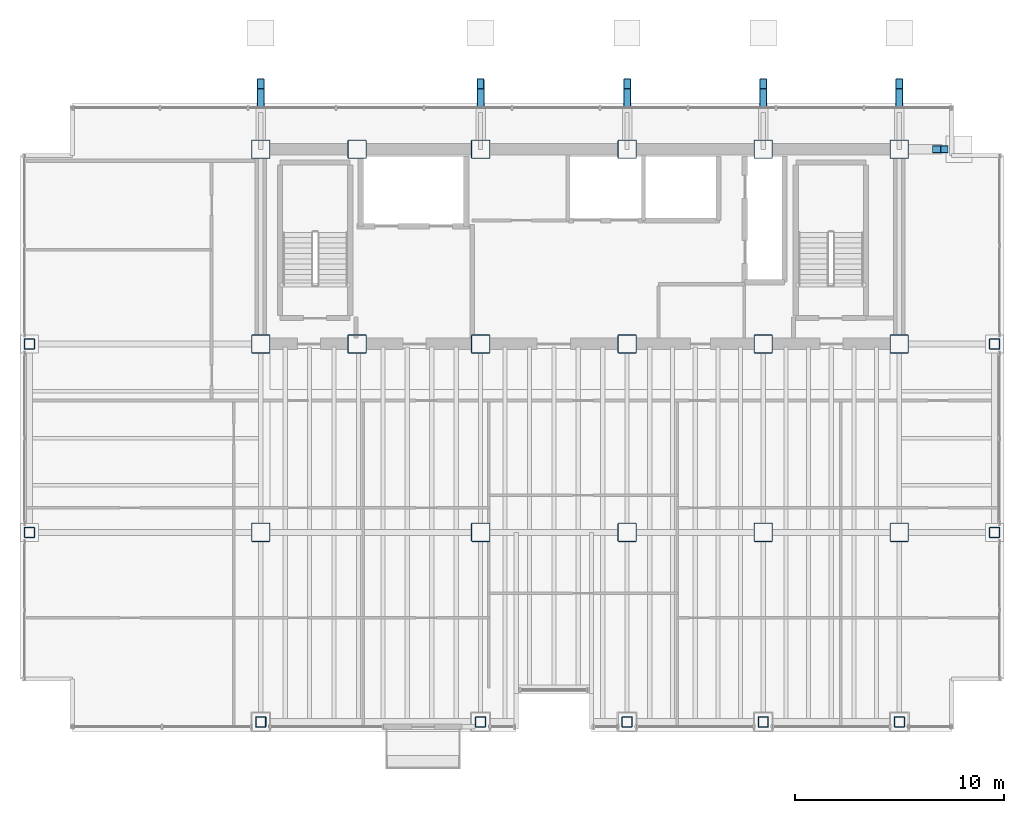
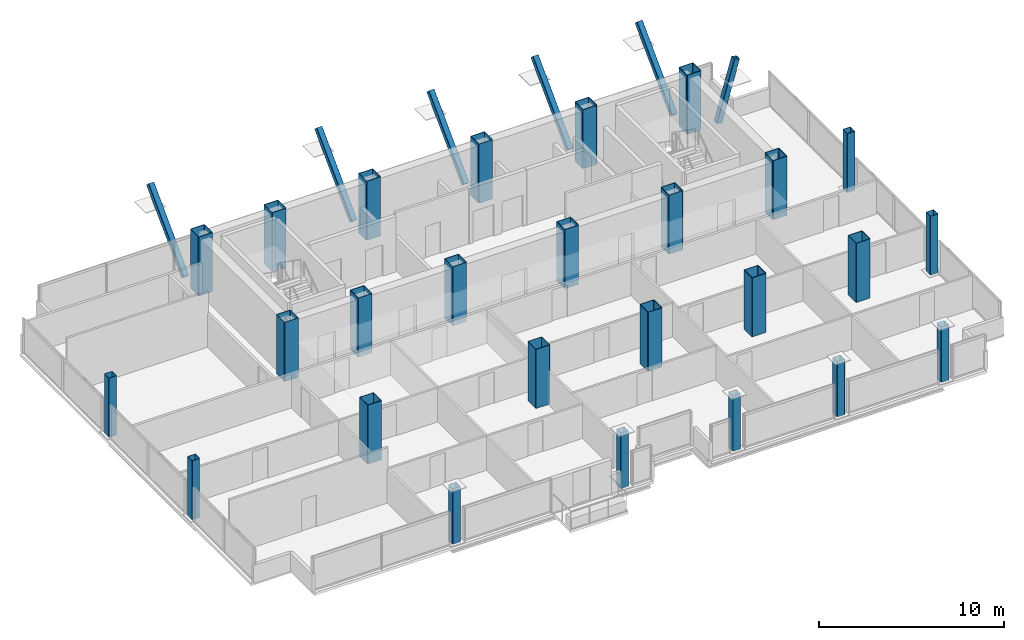
# One storey, part 1 of 22: 32 columns.
"""IFC4 building model written with IfcOpenShell, lengths in metres."""

from ifc_helpers import new_model, si_unit, direction, frame, origin, origin_2d, place, context, subcontext, project, spatial, hollow_rectangle, extrude, material, material_profile, profile_set, type_object, element, save


model = new_model("IFC4")

# Units and contexts
model_context = context("Model", 3, precision=1e-05, world=origin(), true_north=direction((0.0, 1.0)))
body_context = subcontext(model_context, "Body", "Model", "MODEL_VIEW")
ifc_project = project(units=[si_unit("LENGTHUNIT", "METRE"), si_unit("AREAUNIT", "SQUARE_METRE"), si_unit("VOLUMEUNIT", "CUBIC_METRE"), si_unit("PLANEANGLEUNIT", "RADIAN"), si_unit("MASSUNIT", "GRAM", prefix="KILO")], contexts=[model_context])

# Site, building, storey
site_placement = place(None, origin())
site = spatial("IfcSite", under=ifc_project, at=site_placement, CompositionType="ELEMENT")
building_placement = place(site_placement, origin())
building = spatial("IfcBuilding", under=site, at=building_placement, Name="Noeulbin Bourse Tower", CompositionType="ELEMENT")
storey_placement = place(building_placement, frame((0.0, 0.0, 138.300048828125)))
storey = spatial("IfcBuildingStorey", under=building, at=storey_placement, Name="L34", CompositionType="ELEMENT", Elevation=138.300048828125)

# Columns
ifc_material_1 = material(Name="Steel S355", Category="steel")
ifc_material_profile_1 = material_profile(ifc_material_1, hollow_rectangle(XDim=0.35009765625, YDim=0.35009765625, WallThickness=0.01611328125, InnerFilletRadius=0.01611328125, OuterFilletRadius=0.031982421875, at=origin_2d()), Name="SHS-350x350x16", Category="LoadBearing")
ifc_profile_set_1 = profile_set([ifc_material_profile_1], Name="Steel S355")
column_type_1 = type_object("IfcColumnType", Name="COL-CRN-Z5", PredefinedType="COLUMN", material=ifc_profile_set_1)
column_placement = place(storey_placement, frame((45.75, 38.300048828125, -0.199951171875), z_axis=(0.274094418495, 0.0, 0.961702786598), x_axis=(0.0, 1.0, 0.0)))
element("IfcColumn", 1, at=column_placement, inside=storey, type_object=column_type_1, Name="Exoskeleton Raking Prop Column L34-01", PredefinedType="COLUMN", context=body_context, shape_type="SweptSolid", body=[
    extrude(hollow_rectangle(XDim=0.35009765625, YDim=0.35009765625, WallThickness=0.01611328125, InnerFilletRadius=0.01611328125, OuterFilletRadius=0.031982421875, at=origin_2d()), origin(), (0.0, 0.0, 1.0), 4.013671875),
])
for number, where, z_axis, x_axis, name in (
    (2, (13.5, 40.050048828125, -0.199951171875), (0.0, 0.701563761311, 0.712606685918), (-1.0, 0.0, 0.0), "Exoskeleton Raking Prop Column L34-02"),
    (3, (24.0, 40.050048828125, -0.199951171875), (0.0, 0.701563761311, 0.712606685918), (-1.0, 0.0, 0.0), "Exoskeleton Raking Prop Column L34-03"),
    (4, (31.0, 40.050048828125, -0.199951171875), (0.0, 0.701563761311, 0.712606685918), (-1.0, 0.0, 0.0), "Exoskeleton Raking Prop Column L34-04"),
    (5, (37.5, 40.050048828125, -0.199951171875), (0.0, 0.701563761311, 0.712606685918), (-1.0, 0.0, 0.0), "Exoskeleton Raking Prop Column L34-05"),
    (6, (44.0, 40.050048828125, -0.199951171875), (0.0, 0.701563761311, 0.712606685918), (-1.0, 0.0, 0.0), "Exoskeleton Raking Prop Column L34-06"),
):
    element("IfcColumn", number, at=place(storey_placement, frame(where, z_axis=z_axis, x_axis=x_axis)), inside=storey, type_object=column_type_1, Name=name, PredefinedType="COLUMN", context=body_context, shape_type="SweptSolid", body=[
        extrude(hollow_rectangle(XDim=0.35009765625, YDim=0.35009765625, WallThickness=0.01611328125, InnerFilletRadius=0.01611328125, OuterFilletRadius=0.031982421875, at=origin_2d()), origin(), (0.0, 0.0, 1.0), 5.41650390625),
    ])
ifc_material_profile_2 = material_profile(ifc_material_1, hollow_rectangle(XDim=0.5, YDim=0.5, WallThickness=0.02392578125, InnerFilletRadius=0.011962890625, OuterFilletRadius=0.035888671875, at=origin_2d()), Name="BOX-500x500x24", Category="LoadBearing")
ifc_profile_set_2 = profile_set([ifc_material_profile_2], Name="Steel S355")
column_type_2 = type_object("IfcColumnType", Name="COL-PER-Z2", PredefinedType="COLUMN", material=ifc_profile_set_2)
for number, where, z_axis, x_axis, name in (
    (7, (2.449951171875, 20.0, 0.0), (0.0, 0.0, 1.0), (1.0, 0.0, 0.0), "Tower Perimeter Column COL-PER-Z2 01"),
    (8, (2.449951171875, 29.0, 0.0), (0.0, 0.0, 1.0), (1.0, 0.0, 0.0), "Tower Perimeter Column COL-PER-Z2 02"),
):
    element("IfcColumn", number, at=place(storey_placement, frame(where, z_axis=z_axis, x_axis=x_axis)), inside=storey, type_object=column_type_2, Name=name, PredefinedType="COLUMN", context=body_context, shape_type="SweptSolid", body=[
        extrude(hollow_rectangle(XDim=0.5, YDim=0.5, WallThickness=0.02392578125, InnerFilletRadius=0.011962890625, OuterFilletRadius=0.035888671875, at=origin_2d()), origin(), (0.0, 0.0, 1.0), 3.89990234375),
    ])
for number, where, z_axis, x_axis, name in (
    (9, (13.5, 10.949951171875, 0.0), (0.0, 0.0, 1.0), (1.0, 0.0, 0.0), "Tower Perimeter Column COL-PER-Z2 03"),
    (10, (24.0, 10.949951171875, 0.0), (0.0, 0.0, 1.0), (1.0, 0.0, 0.0), "Tower Perimeter Column COL-PER-Z2 04"),
    (11, (31.0, 10.949951171875, 0.0), (0.0, 0.0, 1.0), (1.0, 0.0, 0.0), "Tower Perimeter Column COL-PER-Z2 05"),
    (12, (37.5, 10.949951171875, 0.0), (0.0, 0.0, 1.0), (1.0, 0.0, 0.0), "Tower Perimeter Column COL-PER-Z2 06"),
    (13, (44.0, 10.949951171875, 0.0), (0.0, 0.0, 1.0), (1.0, 0.0, 0.0), "Tower Perimeter Column COL-PER-Z2 07"),
):
    element("IfcColumn", number, at=place(storey_placement, frame(where, z_axis=z_axis, x_axis=x_axis)), inside=storey, type_object=column_type_2, Name=name, PredefinedType="COLUMN", context=body_context, shape_type="SweptSolid", body=[
        extrude(hollow_rectangle(XDim=0.5, YDim=0.5, WallThickness=0.02392578125, InnerFilletRadius=0.011962890625, OuterFilletRadius=0.035888671875, at=origin_2d()), origin(), (0.0, 0.0, 1.0), 3.659912109375),
    ])
for number, where, z_axis, x_axis, name in (
    (14, (48.550048828125, 20.0, 0.0), (0.0, 0.0, 1.0), (1.0, 0.0, 0.0), "Tower Perimeter Column COL-PER-Z2 08"),
    (15, (48.550048828125, 29.0, 0.0), (0.0, 0.0, 1.0), (1.0, 0.0, 0.0), "Tower Perimeter Column COL-PER-Z2 09"),
):
    element("IfcColumn", number, at=place(storey_placement, frame(where, z_axis=z_axis, x_axis=x_axis)), inside=storey, type_object=column_type_2, Name=name, PredefinedType="COLUMN", context=body_context, shape_type="SweptSolid", body=[
        extrude(hollow_rectangle(XDim=0.5, YDim=0.5, WallThickness=0.02392578125, InnerFilletRadius=0.011962890625, OuterFilletRadius=0.035888671875, at=origin_2d()), origin(), (0.0, 0.0, 1.0), 3.89990234375),
    ])
ifc_material_2 = material(Name="Steel S460", Category="steel")
ifc_material_profile_3 = material_profile(ifc_material_2, hollow_rectangle(XDim=0.89990234375, YDim=0.89990234375, WallThickness=0.034912109375, InnerFilletRadius=0.01708984375, OuterFilletRadius=0.052001953125, at=origin_2d()), Name="BOX-900x900x35", Category="LoadBearing")
ifc_profile_set_3 = profile_set([ifc_material_profile_3], Name="Steel S460")
column_type_3 = type_object("IfcColumnType", Name="COL-TRK-Z2", PredefinedType="COLUMN", material=ifc_profile_set_3)
for number, where, z_axis, x_axis, name in (
    (16, (13.5, 29.0, 0.0), (0.0, 0.0, 1.0), (1.0, 0.0, 0.0), "Tower Trunk Mega-Column COL-TRK-Z2 01"),
    (17, (13.5, 38.300048828125, 0.0), (0.0, 0.0, 1.0), (1.0, 0.0, 0.0), "Tower Trunk Mega-Column COL-TRK-Z2 02"),
    (18, (18.10009765625, 29.0, 0.0), (0.0, 0.0, 1.0), (1.0, 0.0, 0.0), "Tower Trunk Mega-Column COL-TRK-Z2 03"),
    (19, (18.10009765625, 38.300048828125, 0.0), (0.0, 0.0, 1.0), (1.0, 0.0, 0.0), "Tower Trunk Mega-Column COL-TRK-Z2 04"),
    (20, (24.0, 29.0, 0.0), (0.0, 0.0, 1.0), (1.0, 0.0, 0.0), "Tower Trunk Mega-Column COL-TRK-Z2 05"),
    (21, (24.0, 38.300048828125, 0.0), (0.0, 0.0, 1.0), (1.0, 0.0, 0.0), "Tower Trunk Mega-Column COL-TRK-Z2 06"),
    (22, (31.0, 29.0, 0.0), (0.0, 0.0, 1.0), (1.0, 0.0, 0.0), "Tower Trunk Mega-Column COL-TRK-Z2 07"),
    (23, (31.0, 38.300048828125, 0.0), (0.0, 0.0, 1.0), (1.0, 0.0, 0.0), "Tower Trunk Mega-Column COL-TRK-Z2 08"),
    (24, (37.5, 29.0, 0.0), (0.0, 0.0, 1.0), (1.0, 0.0, 0.0), "Tower Trunk Mega-Column COL-TRK-Z2 09"),
    (25, (37.5, 38.300048828125, 0.0), (0.0, 0.0, 1.0), (1.0, 0.0, 0.0), "Tower Trunk Mega-Column COL-TRK-Z2 10"),
    (26, (44.0, 29.0, 0.0), (0.0, 0.0, 1.0), (1.0, 0.0, 0.0), "Tower Trunk Mega-Column COL-TRK-Z2 11"),
    (27, (44.0, 38.300048828125, 0.0), (0.0, 0.0, 1.0), (1.0, 0.0, 0.0), "Tower Trunk Mega-Column COL-TRK-Z2 12"),
    (28, (13.5, 20.0, 0.0), (0.0, 0.0, 1.0), (1.0, 0.0, 0.0), "Tower Trunk Mega-Column COL-TRK-Z2 13"),
    (29, (24.0, 20.0, 0.0), (0.0, 0.0, 1.0), (1.0, 0.0, 0.0), "Tower Trunk Mega-Column COL-TRK-Z2 14"),
    (30, (31.0, 20.0, 0.0), (0.0, 0.0, 1.0), (1.0, 0.0, 0.0), "Tower Trunk Mega-Column COL-TRK-Z2 15"),
    (31, (37.5, 20.0, 0.0), (0.0, 0.0, 1.0), (1.0, 0.0, 0.0), "Tower Trunk Mega-Column COL-TRK-Z2 16"),
    (32, (44.0, 20.0, 0.0), (0.0, 0.0, 1.0), (1.0, 0.0, 0.0), "Tower Trunk Mega-Column COL-TRK-Z2 17"),
):
    element("IfcColumn", number, at=place(storey_placement, frame(where, z_axis=z_axis, x_axis=x_axis)), inside=storey, type_object=column_type_3, Name=name, PredefinedType="COLUMN", context=body_context, shape_type="SweptSolid", body=[
        extrude(hollow_rectangle(XDim=0.89990234375, YDim=0.89990234375, WallThickness=0.034912109375, InnerFilletRadius=0.01708984375, OuterFilletRadius=0.052001953125, at=origin_2d()), origin(), (0.0, 0.0, 1.0), 3.89990234375),
    ])

save(model, "model.ifc")
